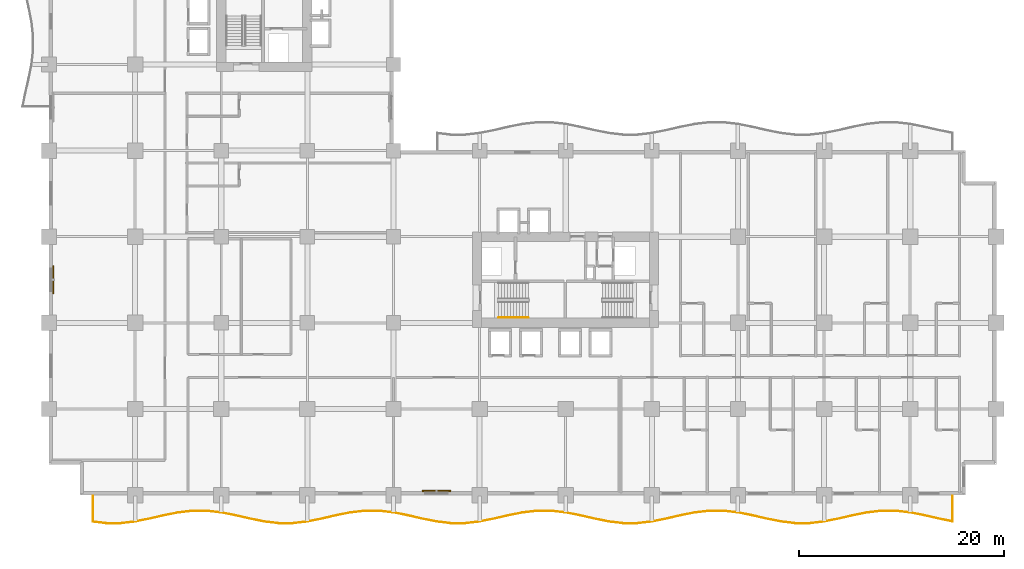
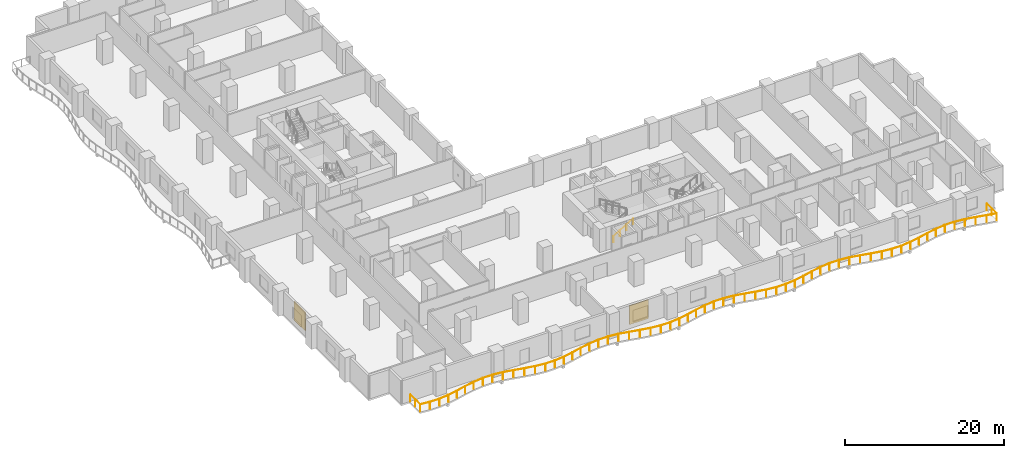
# One storey, part 15 of 18: 2 railings, 2 shading devices.
"""IFC4 building model written with IfcOpenShell, lengths in metres."""

from ifc_helpers import new_model, si_unit, direction, frame, origin, origin_2d, place, context, subcontext, project, spatial, rectangle, circle, extrude, material, layer, layer_set, type_object, element, save


model = new_model("IFC4")

# Units and contexts
model_context = context("Model", 3, precision=1e-05, world=origin(), true_north=direction((0.0, 1.0)))
body_context = subcontext(model_context, "Body", "Model", "MODEL_VIEW")
ifc_project = project(units=[si_unit("LENGTHUNIT", "METRE"), si_unit("AREAUNIT", "SQUARE_METRE"), si_unit("VOLUMEUNIT", "CUBIC_METRE"), si_unit("PLANEANGLEUNIT", "RADIAN"), si_unit("MASSUNIT", "GRAM", prefix="KILO")], contexts=[model_context])

# Site, building, storey
site_placement = place(None, origin())
site = spatial("IfcSite", under=ifc_project, at=site_placement, CompositionType="ELEMENT")
building_placement = place(site_placement, origin())
building = spatial("IfcBuilding", under=site, at=building_placement, Name="Koriwani Terraces Tower", CompositionType="ELEMENT")
storey_placement = place(building_placement, frame((0.0, 0.0, 81.39990234375)))
storey = spatial("IfcBuildingStorey", under=building, at=storey_placement, Name="L19", CompositionType="ELEMENT", Elevation=81.39990234375)

# Railings
ifc_material_1 = material(Name="Steel ASTM A572 Grade 50", Category="steel")
railing_type_1 = type_object("IfcRailingType", Name="GUARD_BALUSTRADE_1150", PredefinedType="BALUSTRADE", material=ifc_material_1)
railing_1_placement = place(storey_placement, frame((4.280029296875, -0.080078125, 0.0)))
element("IfcRailing", 1, at=railing_1_placement, inside=storey, type_object=railing_type_1, Name="L19 Balcony Perimeter Safety Balustrade (S)", PredefinedType="BALUSTRADE", context=body_context, shape_type="SweptSolid", body=[
    extrude(circle(Radius=0.02392578125, at=origin_2d()), frame((0.0, 0.0, 1.1259765625), z_axis=(0.0, -1.0, 0.0), x_axis=(1.0, 0.0, 0.0)), (0.0, 0.0, 1.0), 2.515625),
    extrude(circle(Radius=0.02392578125, at=origin_2d()), frame((0.0, -2.515625, 1.1259765625), z_axis=(0.993387265385, -0.114811763207, 0.0), x_axis=(0.114811763207, 0.993387265385, 0.0)), (0.0, 0.0, 1.0), 1.333251953125),
    extrude(circle(Radius=0.02392578125, at=origin_2d()), frame((1.324462890625, -2.668701171875, 1.1259765625), z_axis=(1.0, 0.0, 0.0), x_axis=(0.0, 1.0, 0.0)), (0.0, 0.0, 1.0), 1.390869140625),
    extrude(circle(Radius=0.02392578125, at=origin_2d()), frame((2.71533203125, -2.668701171875, 1.1259765625), z_axis=(0.993387554732, 0.114809259658, 0.0), x_axis=(-0.114809259658, 0.993387554732, 0.0)), (0.0, 0.0, 1.0), 1.4013671875),
    extrude(circle(Radius=0.02392578125, at=origin_2d()), frame((4.107421875, -2.5078125, 1.1259765625), z_axis=(0.980560880312, 0.196215086073, 0.0), x_axis=(-0.196215086073, 0.980560880312, 0.0)), (0.0, 0.0, 1.0), 1.42333984375),
    extrude(circle(Radius=0.02392578125, at=origin_2d()), frame((5.503173828125, -2.228515625, 1.1259765625), z_axis=(0.974325285753, 0.225144925641, 0.0), x_axis=(-0.225144925641, 0.974325285753, 0.0)), (0.0, 0.0, 1.0), 1.436767578125),
    extrude(circle(Radius=0.02392578125, at=origin_2d()), frame((6.903076171875, -1.905029296875, 1.1259765625), z_axis=(0.980567562379, 0.196181690301, 0.0), x_axis=(-0.196181690301, 0.980567562379, 0.0)), (0.0, 0.0, 1.0), 1.432373046875),
    extrude(circle(Radius=0.02392578125, at=origin_2d()), frame((8.3076171875, -1.6240234375, 1.1259765625), z_axis=(0.993395347306, 0.114741814309, 0.0), x_axis=(-0.114741814309, 0.993395347306, 0.0)), (0.0, 0.0, 1.0), 1.4169921875),
    extrude(circle(Radius=0.02392578125, at=origin_2d()), frame((9.71533203125, -1.46142578125, 1.1259765625), z_axis=(1.0, 0.0, 0.0), x_axis=(0.0, 1.0, 0.0)), (0.0, 0.0, 1.0), 1.4091796875),
    extrude(circle(Radius=0.02392578125, at=origin_2d()), frame((11.12451171875, -1.46142578125, 1.1259765625), z_axis=(0.993397614974, -0.114722179915, 0.0), x_axis=(0.114722179915, 0.993397614974, 0.0)), (0.0, 0.0, 1.0), 1.417236328125),
    extrude(circle(Radius=0.02392578125, at=origin_2d()), frame((12.532470703125, -1.6240234375, 1.1259765625), z_axis=(0.980561000791, -0.19621448399, 0.0), x_axis=(0.19621448399, 0.980561000791, 0.0)), (0.0, 0.0, 1.0), 1.43212890625),
    extrude(circle(Radius=0.02392578125, at=origin_2d()), frame((13.936767578125, -1.905029296875, 1.1259765625), z_axis=(0.974333896935, -0.225107657095, 0.0), x_axis=(0.225107657095, 0.974333896935, 0.0)), (0.0, 0.0, 1.0), 1.43701171875),
    extrude(circle(Radius=0.02392578125, at=origin_2d()), frame((15.3369140625, -2.228515625, 1.1259765625), z_axis=(0.980554275191, -0.196248091466, 0.0), x_axis=(0.196248091466, 0.980554275191, 0.0)), (0.0, 0.0, 1.0), 1.423095703125),
    extrude(circle(Radius=0.02392578125, at=origin_2d()), frame((16.732421875, -2.5078125, 1.1259765625), z_axis=(0.993387554732, -0.114809259658, 0.0), x_axis=(0.114809259658, 0.993387554732, 0.0)), (0.0, 0.0, 1.0), 1.4013671875),
    extrude(circle(Radius=0.02392578125, at=origin_2d()), frame((18.12451171875, -2.668701171875, 1.1259765625), z_axis=(1.0, 0.0, 0.0), x_axis=(0.0, 1.0, 0.0)), (0.0, 0.0, 1.0), 1.390869140625),
    extrude(circle(Radius=0.02392578125, at=origin_2d()), frame((19.515380859375, -2.668701171875, 1.1259765625), z_axis=(0.993387554732, 0.114809259658, 0.0), x_axis=(-0.114809259658, 0.993387554732, 0.0)), (0.0, 0.0, 1.0), 1.4013671875),
    extrude(circle(Radius=0.02392578125, at=origin_2d()), frame((20.907470703125, -2.5078125, 1.1259765625), z_axis=(0.980554275191, 0.196248091466, 0.0), x_axis=(-0.196248091466, 0.980554275191, 0.0)), (0.0, 0.0, 1.0), 1.423095703125),
    extrude(circle(Radius=0.02392578125, at=origin_2d()), frame((22.302978515625, -2.228515625, 1.1259765625), z_axis=(0.974333896935, 0.225107657095, 0.0), x_axis=(-0.225107657095, 0.974333896935, 0.0)), (0.0, 0.0, 1.0), 1.43701171875),
    extrude(circle(Radius=0.02392578125, at=origin_2d()), frame((23.703125, -1.905029296875, 1.1259765625), z_axis=(0.980567562379, 0.196181690301, 0.0), x_axis=(-0.196181690301, 0.980567562379, 0.0)), (0.0, 0.0, 1.0), 1.432373046875),
    extrude(circle(Radius=0.02392578125, at=origin_2d()), frame((25.107666015625, -1.6240234375, 1.1259765625), z_axis=(0.993395347306, 0.114741814309, 0.0), x_axis=(-0.114741814309, 0.993395347306, 0.0)), (0.0, 0.0, 1.0), 1.4169921875),
    extrude(circle(Radius=0.02392578125, at=origin_2d()), frame((26.515380859375, -1.46142578125, 1.1259765625), z_axis=(1.0, 0.0, 0.0), x_axis=(0.0, 1.0, 0.0)), (0.0, 0.0, 1.0), 1.4091796875),
    extrude(circle(Radius=0.02392578125, at=origin_2d()), frame((27.924560546875, -1.46142578125, 1.1259765625), z_axis=(0.993395347306, -0.114741814309, 0.0), x_axis=(0.114741814309, 0.993395347306, 0.0)), (0.0, 0.0, 1.0), 1.4169921875),
    extrude(circle(Radius=0.02392578125, at=origin_2d()), frame((29.332275390625, -1.6240234375, 1.1259765625), z_axis=(0.980567562379, -0.196181690301, 0.0), x_axis=(0.196181690301, 0.980567562379, 0.0)), (0.0, 0.0, 1.0), 1.432373046875),
    extrude(circle(Radius=0.02392578125, at=origin_2d()), frame((30.73681640625, -1.905029296875, 1.1259765625), z_axis=(0.974333896935, -0.225107657095, 0.0), x_axis=(0.225107657095, 0.974333896935, 0.0)), (0.0, 0.0, 1.0), 1.43701171875),
    extrude(circle(Radius=0.02392578125, at=origin_2d()), frame((32.136962890625, -2.228515625, 1.1259765625), z_axis=(0.980554275191, -0.196248091466, 0.0), x_axis=(0.196248091466, 0.980554275191, 0.0)), (0.0, 0.0, 1.0), 1.423095703125),
    extrude(circle(Radius=0.02392578125, at=origin_2d()), frame((33.532470703125, -2.5078125, 1.1259765625), z_axis=(0.993387554732, -0.114809259658, 0.0), x_axis=(0.114809259658, 0.993387554732, 0.0)), (0.0, 0.0, 1.0), 1.4013671875),
    extrude(circle(Radius=0.02392578125, at=origin_2d()), frame((34.924560546875, -2.668701171875, 1.1259765625), z_axis=(1.0, 0.0, 0.0), x_axis=(0.0, 1.0, 0.0)), (0.0, 0.0, 1.0), 1.390869140625),
    extrude(circle(Radius=0.02392578125, at=origin_2d()), frame((36.3154296875, -2.668701171875, 1.1259765625), z_axis=(0.993387554732, 0.114809259658, 0.0), x_axis=(-0.114809259658, 0.993387554732, 0.0)), (0.0, 0.0, 1.0), 1.4013671875),
    extrude(circle(Radius=0.02392578125, at=origin_2d()), frame((37.70751953125, -2.5078125, 1.1259765625), z_axis=(0.980554275191, 0.196248091466, 0.0), x_axis=(-0.196248091466, 0.980554275191, 0.0)), (0.0, 0.0, 1.0), 1.423095703125),
    extrude(circle(Radius=0.02392578125, at=origin_2d()), frame((39.10302734375, -2.228515625, 1.1259765625), z_axis=(0.974333896935, 0.225107657095, 0.0), x_axis=(-0.225107657095, 0.974333896935, 0.0)), (0.0, 0.0, 1.0), 1.43701171875),
    extrude(circle(Radius=0.02392578125, at=origin_2d()), frame((40.503173828125, -1.905029296875, 1.1259765625), z_axis=(0.980561000791, 0.19621448399, 0.0), x_axis=(-0.19621448399, 0.980561000791, 0.0)), (0.0, 0.0, 1.0), 1.43212890625),
    extrude(circle(Radius=0.02392578125, at=origin_2d()), frame((41.907470703125, -1.6240234375, 1.1259765625), z_axis=(0.993397614974, 0.114722179915, 0.0), x_axis=(-0.114722179915, 0.993397614974, 0.0)), (0.0, 0.0, 1.0), 1.417236328125),
    extrude(circle(Radius=0.02392578125, at=origin_2d()), frame((43.3154296875, -1.46142578125, 1.1259765625), z_axis=(1.0, 0.0, 0.0), x_axis=(0.0, 1.0, 0.0)), (0.0, 0.0, 1.0), 1.4091796875),
    extrude(circle(Radius=0.02392578125, at=origin_2d()), frame((44.724609375, -1.46142578125, 1.1259765625), z_axis=(0.993395347306, -0.114741814309, 0.0), x_axis=(0.114741814309, 0.993395347306, 0.0)), (0.0, 0.0, 1.0), 1.4169921875),
    extrude(circle(Radius=0.02392578125, at=origin_2d()), frame((46.13232421875, -1.6240234375, 1.1259765625), z_axis=(0.980567562379, -0.196181690301, 0.0), x_axis=(0.196181690301, 0.980567562379, 0.0)), (0.0, 0.0, 1.0), 1.432373046875),
    extrude(circle(Radius=0.02392578125, at=origin_2d()), frame((47.536865234375, -1.905029296875, 1.1259765625), z_axis=(0.974325285753, -0.225144925641, 0.0), x_axis=(0.225144925641, 0.974325285753, 0.0)), (0.0, 0.0, 1.0), 1.436767578125),
    extrude(circle(Radius=0.02392578125, at=origin_2d()), frame((48.936767578125, -2.228515625, 1.1259765625), z_axis=(0.980560880312, -0.196215086073, 0.0), x_axis=(0.196215086073, 0.980560880312, 0.0)), (0.0, 0.0, 1.0), 1.42333984375),
    extrude(circle(Radius=0.02392578125, at=origin_2d()), frame((50.33251953125, -2.5078125, 1.1259765625), z_axis=(0.993387554732, -0.114809259658, 0.0), x_axis=(0.114809259658, 0.993387554732, 0.0)), (0.0, 0.0, 1.0), 1.4013671875),
    extrude(circle(Radius=0.02392578125, at=origin_2d()), frame((51.724609375, -2.668701171875, 1.1259765625), z_axis=(1.0, 0.0, 0.0), x_axis=(0.0, 1.0, 0.0)), (0.0, 0.0, 1.0), 1.390869140625),
    extrude(circle(Radius=0.02392578125, at=origin_2d()), frame((53.115478515625, -2.668701171875, 1.1259765625), z_axis=(0.993387554732, 0.114809259658, 0.0), x_axis=(-0.114809259658, 0.993387554732, 0.0)), (0.0, 0.0, 1.0), 1.4013671875),
    extrude(circle(Radius=0.02392578125, at=origin_2d()), frame((54.507568359375, -2.5078125, 1.1259765625), z_axis=(0.980554275191, 0.196248091466, 0.0), x_axis=(-0.196248091466, 0.980554275191, 0.0)), (0.0, 0.0, 1.0), 1.423095703125),
    extrude(circle(Radius=0.02392578125, at=origin_2d()), frame((55.903076171875, -2.228515625, 1.1259765625), z_axis=(0.974325285753, 0.225144925641, 0.0), x_axis=(-0.225144925641, 0.974325285753, 0.0)), (0.0, 0.0, 1.0), 1.436767578125),
    extrude(circle(Radius=0.02392578125, at=origin_2d()), frame((57.302978515625, -1.905029296875, 1.1259765625), z_axis=(0.980567562379, 0.196181690301, 0.0), x_axis=(-0.196181690301, 0.980567562379, 0.0)), (0.0, 0.0, 1.0), 1.432373046875),
    extrude(circle(Radius=0.02392578125, at=origin_2d()), frame((58.70751953125, -1.6240234375, 1.1259765625), z_axis=(0.993397614974, 0.114722179915, 0.0), x_axis=(-0.114722179915, 0.993397614974, 0.0)), (0.0, 0.0, 1.0), 1.417236328125),
    extrude(circle(Radius=0.02392578125, at=origin_2d()), frame((60.115478515625, -1.46142578125, 1.1259765625), z_axis=(1.0, 0.0, 0.0), x_axis=(0.0, 1.0, 0.0)), (0.0, 0.0, 1.0), 1.4091796875),
    extrude(circle(Radius=0.02392578125, at=origin_2d()), frame((61.524658203125, -1.46142578125, 1.1259765625), z_axis=(0.993395347306, -0.114741814309, 0.0), x_axis=(0.114741814309, 0.993395347306, 0.0)), (0.0, 0.0, 1.0), 1.4169921875),
    extrude(circle(Radius=0.02392578125, at=origin_2d()), frame((62.932373046875, -1.6240234375, 1.1259765625), z_axis=(0.980567562379, -0.196181690301, 0.0), x_axis=(0.196181690301, 0.980567562379, 0.0)), (0.0, 0.0, 1.0), 1.432373046875),
    extrude(circle(Radius=0.02392578125, at=origin_2d()), frame((64.3369140625, -1.905029296875, 1.1259765625), z_axis=(0.974325285753, -0.225144925641, 0.0), x_axis=(0.225144925641, 0.974325285753, 0.0)), (0.0, 0.0, 1.0), 1.436767578125),
    extrude(circle(Radius=0.02392578125, at=origin_2d()), frame((65.73681640625, -2.228515625, 1.1259765625), z_axis=(0.980560880312, -0.196215086073, 0.0), x_axis=(0.196215086073, 0.980560880312, 0.0)), (0.0, 0.0, 1.0), 1.42333984375),
    extrude(circle(Radius=0.02392578125, at=origin_2d()), frame((67.132568359375, -2.5078125, 1.1259765625), z_axis=(0.993387554732, -0.114809259658, 0.0), x_axis=(0.114809259658, 0.993387554732, 0.0)), (0.0, 0.0, 1.0), 1.4013671875),
    extrude(circle(Radius=0.02392578125, at=origin_2d()), frame((68.524658203125, -2.668701171875, 1.1259765625), z_axis=(1.0, 0.0, 0.0), x_axis=(0.0, 1.0, 0.0)), (0.0, 0.0, 1.0), 1.390625),
    extrude(circle(Radius=0.02392578125, at=origin_2d()), frame((69.915283203125, -2.668701171875, 1.1259765625), z_axis=(0.993387554732, 0.114809259658, 0.0), x_axis=(-0.114809259658, 0.993387554732, 0.0)), (0.0, 0.0, 1.0), 1.4013671875),
    extrude(circle(Radius=0.02392578125, at=origin_2d()), frame((71.307373046875, -2.5078125, 1.1259765625), z_axis=(0.980560880312, 0.196215086073, 0.0), x_axis=(-0.196215086073, 0.980560880312, 0.0)), (0.0, 0.0, 1.0), 1.42333984375),
    extrude(circle(Radius=0.02392578125, at=origin_2d()), frame((72.703125, -2.228515625, 1.1259765625), z_axis=(0.974325285753, 0.225144925641, 0.0), x_axis=(-0.225144925641, 0.974325285753, 0.0)), (0.0, 0.0, 1.0), 1.436767578125),
    extrude(circle(Radius=0.02392578125, at=origin_2d()), frame((74.10302734375, -1.905029296875, 1.1259765625), z_axis=(0.980567562379, 0.196181690301, 0.0), x_axis=(-0.196181690301, 0.980567562379, 0.0)), (0.0, 0.0, 1.0), 1.432373046875),
    extrude(circle(Radius=0.02392578125, at=origin_2d()), frame((75.507568359375, -1.6240234375, 1.1259765625), z_axis=(0.993395347306, 0.114741814309, 0.0), x_axis=(-0.114741814309, 0.993395347306, 0.0)), (0.0, 0.0, 1.0), 1.4169921875),
    extrude(circle(Radius=0.02392578125, at=origin_2d()), frame((76.915283203125, -1.46142578125, 1.1259765625), z_axis=(1.0, 0.0, 0.0), x_axis=(0.0, 1.0, 0.0)), (0.0, 0.0, 1.0), 1.4091796875),
    extrude(circle(Radius=0.02392578125, at=origin_2d()), frame((78.324462890625, -1.46142578125, 1.1259765625), z_axis=(0.993397614974, -0.114722179915, 0.0), x_axis=(0.114722179915, 0.993397614974, 0.0)), (0.0, 0.0, 1.0), 1.417236328125),
    extrude(circle(Radius=0.02392578125, at=origin_2d()), frame((79.732421875, -1.6240234375, 1.1259765625), z_axis=(0.980567562379, -0.196181690301, 0.0), x_axis=(0.196181690301, 0.980567562379, 0.0)), (0.0, 0.0, 1.0), 1.432373046875),
    extrude(circle(Radius=0.02392578125, at=origin_2d()), frame((81.136962890625, -1.905029296875, 1.1259765625), z_axis=(0.974325285753, -0.225144925641, 0.0), x_axis=(0.225144925641, 0.974325285753, 0.0)), (0.0, 0.0, 1.0), 1.436767578125),
    extrude(circle(Radius=0.02392578125, at=origin_2d()), frame((82.536865234375, -2.228515625, 1.1259765625), z_axis=(0.980566542723, -0.196186786742, 0.0), x_axis=(0.196186786742, 0.980566542723, 0.0)), (0.0, 0.0, 1.0), 1.3291015625),
    extrude(circle(Radius=0.02392578125, at=origin_2d()), frame((83.840087890625, -2.4892578125, 1.1259765625), z_axis=(0.0, 1.0, 0.0), x_axis=(-1.0, 0.0, 0.0)), (0.0, 0.0, 1.0), 2.4892578125),
    extrude(circle(Radius=0.02099609375, at=origin_2d()), origin(), (0.0, 0.0, 1.0), 1.101806640625),
    extrude(circle(Radius=0.02099609375, at=origin_2d()), frame((0.0, -1.2578125, 0.0)), (0.0, 0.0, 1.0), 1.101806640625),
    extrude(circle(Radius=0.02099609375, at=origin_2d()), frame((0.0, -2.515625, 0.0)), (0.0, 0.0, 1.0), 1.101806640625),
    extrude(circle(Radius=0.02099609375, at=origin_2d()), frame((1.324462890625, -2.668701171875, 0.0)), (0.0, 0.0, 1.0), 1.101806640625),
    extrude(circle(Radius=0.02099609375, at=origin_2d()), frame((2.71533203125, -2.668701171875, 0.0)), (0.0, 0.0, 1.0), 1.101806640625),
    extrude(circle(Radius=0.02099609375, at=origin_2d()), frame((4.107421875, -2.5078125, 0.0)), (0.0, 0.0, 1.0), 1.101806640625),
    extrude(circle(Radius=0.02099609375, at=origin_2d()), frame((5.503173828125, -2.228515625, 0.0)), (0.0, 0.0, 1.0), 1.101806640625),
    extrude(circle(Radius=0.02099609375, at=origin_2d()), frame((6.903076171875, -1.905029296875, 0.0)), (0.0, 0.0, 1.0), 1.101806640625),
    extrude(circle(Radius=0.02099609375, at=origin_2d()), frame((8.3076171875, -1.6240234375, 0.0)), (0.0, 0.0, 1.0), 1.101806640625),
    extrude(circle(Radius=0.02099609375, at=origin_2d()), frame((9.71533203125, -1.46142578125, 0.0)), (0.0, 0.0, 1.0), 1.101806640625),
    extrude(circle(Radius=0.02099609375, at=origin_2d()), frame((11.12451171875, -1.46142578125, 0.0)), (0.0, 0.0, 1.0), 1.101806640625),
    extrude(circle(Radius=0.02099609375, at=origin_2d()), frame((12.532470703125, -1.6240234375, 0.0)), (0.0, 0.0, 1.0), 1.101806640625),
    extrude(circle(Radius=0.02099609375, at=origin_2d()), frame((13.936767578125, -1.905029296875, 0.0)), (0.0, 0.0, 1.0), 1.101806640625),
    extrude(circle(Radius=0.02099609375, at=origin_2d()), frame((15.3369140625, -2.228515625, 0.0)), (0.0, 0.0, 1.0), 1.101806640625),
    extrude(circle(Radius=0.02099609375, at=origin_2d()), frame((16.732421875, -2.5078125, 0.0)), (0.0, 0.0, 1.0), 1.101806640625),
    extrude(circle(Radius=0.02099609375, at=origin_2d()), frame((18.12451171875, -2.668701171875, 0.0)), (0.0, 0.0, 1.0), 1.101806640625),
    extrude(circle(Radius=0.02099609375, at=origin_2d()), frame((19.515380859375, -2.668701171875, 0.0)), (0.0, 0.0, 1.0), 1.101806640625),
    extrude(circle(Radius=0.02099609375, at=origin_2d()), frame((20.907470703125, -2.5078125, 0.0)), (0.0, 0.0, 1.0), 1.101806640625),
    extrude(circle(Radius=0.02099609375, at=origin_2d()), frame((22.302978515625, -2.228515625, 0.0)), (0.0, 0.0, 1.0), 1.101806640625),
    extrude(circle(Radius=0.02099609375, at=origin_2d()), frame((23.703125, -1.905029296875, 0.0)), (0.0, 0.0, 1.0), 1.101806640625),
    extrude(circle(Radius=0.02099609375, at=origin_2d()), frame((25.107666015625, -1.6240234375, 0.0)), (0.0, 0.0, 1.0), 1.101806640625),
    extrude(circle(Radius=0.02099609375, at=origin_2d()), frame((26.515380859375, -1.46142578125, 0.0)), (0.0, 0.0, 1.0), 1.101806640625),
    extrude(circle(Radius=0.02099609375, at=origin_2d()), frame((27.924560546875, -1.46142578125, 0.0)), (0.0, 0.0, 1.0), 1.101806640625),
    extrude(circle(Radius=0.02099609375, at=origin_2d()), frame((29.332275390625, -1.6240234375, 0.0)), (0.0, 0.0, 1.0), 1.101806640625),
    extrude(circle(Radius=0.02099609375, at=origin_2d()), frame((30.73681640625, -1.905029296875, 0.0)), (0.0, 0.0, 1.0), 1.101806640625),
    extrude(circle(Radius=0.02099609375, at=origin_2d()), frame((32.136962890625, -2.228515625, 0.0)), (0.0, 0.0, 1.0), 1.101806640625),
    extrude(circle(Radius=0.02099609375, at=origin_2d()), frame((33.532470703125, -2.5078125, 0.0)), (0.0, 0.0, 1.0), 1.101806640625),
    extrude(circle(Radius=0.02099609375, at=origin_2d()), frame((34.924560546875, -2.668701171875, 0.0)), (0.0, 0.0, 1.0), 1.101806640625),
    extrude(circle(Radius=0.02099609375, at=origin_2d()), frame((36.3154296875, -2.668701171875, 0.0)), (0.0, 0.0, 1.0), 1.101806640625),
    extrude(circle(Radius=0.02099609375, at=origin_2d()), frame((37.70751953125, -2.5078125, 0.0)), (0.0, 0.0, 1.0), 1.101806640625),
    extrude(circle(Radius=0.02099609375, at=origin_2d()), frame((39.10302734375, -2.228515625, 0.0)), (0.0, 0.0, 1.0), 1.101806640625),
    extrude(circle(Radius=0.02099609375, at=origin_2d()), frame((40.503173828125, -1.905029296875, 0.0)), (0.0, 0.0, 1.0), 1.101806640625),
    extrude(circle(Radius=0.02099609375, at=origin_2d()), frame((41.907470703125, -1.6240234375, 0.0)), (0.0, 0.0, 1.0), 1.101806640625),
    extrude(circle(Radius=0.02099609375, at=origin_2d()), frame((43.3154296875, -1.46142578125, 0.0)), (0.0, 0.0, 1.0), 1.101806640625),
    extrude(circle(Radius=0.02099609375, at=origin_2d()), frame((44.724609375, -1.46142578125, 0.0)), (0.0, 0.0, 1.0), 1.101806640625),
    extrude(circle(Radius=0.02099609375, at=origin_2d()), frame((46.13232421875, -1.6240234375, 0.0)), (0.0, 0.0, 1.0), 1.101806640625),
    extrude(circle(Radius=0.02099609375, at=origin_2d()), frame((47.536865234375, -1.905029296875, 0.0)), (0.0, 0.0, 1.0), 1.101806640625),
    extrude(circle(Radius=0.02099609375, at=origin_2d()), frame((48.936767578125, -2.228515625, 0.0)), (0.0, 0.0, 1.0), 1.101806640625),
    extrude(circle(Radius=0.02099609375, at=origin_2d()), frame((50.33251953125, -2.5078125, 0.0)), (0.0, 0.0, 1.0), 1.101806640625),
    extrude(circle(Radius=0.02099609375, at=origin_2d()), frame((51.724609375, -2.668701171875, 0.0)), (0.0, 0.0, 1.0), 1.101806640625),
    extrude(circle(Radius=0.02099609375, at=origin_2d()), frame((53.115478515625, -2.668701171875, 0.0)), (0.0, 0.0, 1.0), 1.101806640625),
    extrude(circle(Radius=0.02099609375, at=origin_2d()), frame((54.507568359375, -2.5078125, 0.0)), (0.0, 0.0, 1.0), 1.101806640625),
    extrude(circle(Radius=0.02099609375, at=origin_2d()), frame((55.903076171875, -2.228515625, 0.0)), (0.0, 0.0, 1.0), 1.101806640625),
    extrude(circle(Radius=0.02099609375, at=origin_2d()), frame((57.302978515625, -1.905029296875, 0.0)), (0.0, 0.0, 1.0), 1.101806640625),
    extrude(circle(Radius=0.02099609375, at=origin_2d()), frame((58.70751953125, -1.6240234375, 0.0)), (0.0, 0.0, 1.0), 1.101806640625),
    extrude(circle(Radius=0.02099609375, at=origin_2d()), frame((60.115478515625, -1.46142578125, 0.0)), (0.0, 0.0, 1.0), 1.101806640625),
    extrude(circle(Radius=0.02099609375, at=origin_2d()), frame((61.524658203125, -1.46142578125, 0.0)), (0.0, 0.0, 1.0), 1.101806640625),
    extrude(circle(Radius=0.02099609375, at=origin_2d()), frame((62.932373046875, -1.6240234375, 0.0)), (0.0, 0.0, 1.0), 1.101806640625),
    extrude(circle(Radius=0.02099609375, at=origin_2d()), frame((64.3369140625, -1.905029296875, 0.0)), (0.0, 0.0, 1.0), 1.101806640625),
    extrude(circle(Radius=0.02099609375, at=origin_2d()), frame((65.73681640625, -2.228515625, 0.0)), (0.0, 0.0, 1.0), 1.101806640625),
    extrude(circle(Radius=0.02099609375, at=origin_2d()), frame((67.132568359375, -2.5078125, 0.0)), (0.0, 0.0, 1.0), 1.101806640625),
    extrude(circle(Radius=0.02099609375, at=origin_2d()), frame((68.524658203125, -2.668701171875, 0.0)), (0.0, 0.0, 1.0), 1.101806640625),
    extrude(circle(Radius=0.02099609375, at=origin_2d()), frame((69.915283203125, -2.668701171875, 0.0)), (0.0, 0.0, 1.0), 1.101806640625),
    extrude(circle(Radius=0.02099609375, at=origin_2d()), frame((71.307373046875, -2.5078125, 0.0)), (0.0, 0.0, 1.0), 1.101806640625),
    extrude(circle(Radius=0.02099609375, at=origin_2d()), frame((72.703125, -2.228515625, 0.0)), (0.0, 0.0, 1.0), 1.101806640625),
    extrude(circle(Radius=0.02099609375, at=origin_2d()), frame((74.10302734375, -1.905029296875, 0.0)), (0.0, 0.0, 1.0), 1.101806640625),
    extrude(circle(Radius=0.02099609375, at=origin_2d()), frame((75.507568359375, -1.6240234375, 0.0)), (0.0, 0.0, 1.0), 1.101806640625),
    extrude(circle(Radius=0.02099609375, at=origin_2d()), frame((76.915283203125, -1.46142578125, 0.0)), (0.0, 0.0, 1.0), 1.101806640625),
    extrude(circle(Radius=0.02099609375, at=origin_2d()), frame((78.324462890625, -1.46142578125, 0.0)), (0.0, 0.0, 1.0), 1.101806640625),
    extrude(circle(Radius=0.02099609375, at=origin_2d()), frame((79.732421875, -1.6240234375, 0.0)), (0.0, 0.0, 1.0), 1.101806640625),
    extrude(circle(Radius=0.02099609375, at=origin_2d()), frame((81.136962890625, -1.905029296875, 0.0)), (0.0, 0.0, 1.0), 1.101806640625),
    extrude(circle(Radius=0.02099609375, at=origin_2d()), frame((82.536865234375, -2.228515625, 0.0)), (0.0, 0.0, 1.0), 1.101806640625),
    extrude(circle(Radius=0.02099609375, at=origin_2d()), frame((83.840087890625, -2.4892578125, 0.0)), (0.0, 0.0, 1.0), 1.101806640625),
    extrude(circle(Radius=0.02099609375, at=origin_2d()), frame((83.840087890625, -1.24462890625, 0.0)), (0.0, 0.0, 1.0), 1.101806640625),
    extrude(circle(Radius=0.02099609375, at=origin_2d()), frame((83.840087890625, 0.0, 0.0)), (0.0, 0.0, 1.0), 1.101806640625),
])
railing_type_2 = type_object("IfcRailingType", Name="HANDRAIL_STAIR_920", PredefinedType="HANDRAIL", material=ifc_material_1)
railing_2_placement = place(storey_placement, frame((43.85009765625, 17.300048828125, 0.1728515625)))
element("IfcRailing", 2, at=railing_2_placement, inside=storey, type_object=railing_type_2, Name="L19 ST-E1 stair handrail 1", PredefinedType="HANDRAIL", context=body_context, shape_type="SweptSolid", body=[
    extrude(circle(Radius=0.02392578125, at=origin_2d()), frame((0.0, 0.0, 0.8759765625), z_axis=(0.859141464434, 0.0, 0.511738159696), x_axis=(0.0, 1.0, 0.0)), (0.0, 0.0, 1.0), 3.375244140625),
    extrude(circle(Radius=0.02099609375, at=origin_2d()), origin(), (0.0, 0.0, 1.0), 0.851806640625),
    extrude(circle(Radius=0.02099609375, at=origin_2d()), frame((0.966552734375, 0.0, 0.57568359375)), (0.0, 0.0, 1.0), 0.851806640625),
    extrude(circle(Radius=0.02099609375, at=origin_2d()), frame((1.933349609375, 0.0, 1.151611328125)), (0.0, 0.0, 1.0), 0.851806640625),
    extrude(circle(Radius=0.02099609375, at=origin_2d()), frame((2.89990234375, 0.0, 1.727294921875)), (0.0, 0.0, 1.0), 0.851806640625),
])

# Shading devices
ifc_material_2 = material(Name="Extruded Terracotta Clay", Category="masonry")
ifc_layer = layer(ifc_material_2, 0.1201171875, Name="Extruded Terracotta Clay")
ifc_layer_set = layer_set([ifc_layer], Name="Extruded Terracotta Clay")
shading_device_type = type_object("IfcShadingDeviceType", Name="TERRACOTTA_BAGUETTE_SCREEN_2800", PredefinedType="USERDEFINED", material=ifc_layer_set)
for number, where, z_axis, x_axis, name in (
    (3, (0.405029296875, 21.0, 0.3251953125), (0.0, 0.0, 1.0), (0.0, 1.0, 0.0), "L19 Extruded Terracotta Baguette Screen (W-6)"),
    (4, (37.800048828125, 0.405029296875, 0.3251953125), (0.0, 0.0, 1.0), (-1.0, 0.0, 0.0), "L19 Extruded Terracotta Baguette Screen (S-12)"),
):
    element("IfcShadingDevice", number, at=place(storey_placement, frame(where, z_axis=z_axis, x_axis=x_axis)), inside=storey, type_object=shading_device_type, Name=name, ObjectType="BAGUETTE", PredefinedType="USERDEFINED", context=body_context, shape_type="SweptSolid", body=[
        extrude(rectangle(XDim=2.760009765625, YDim=0.1201171875, at=origin_2d()), origin(), (0.0, 0.0, 1.0), 2.89990234375),
    ])

save(model, "model.ifc")
